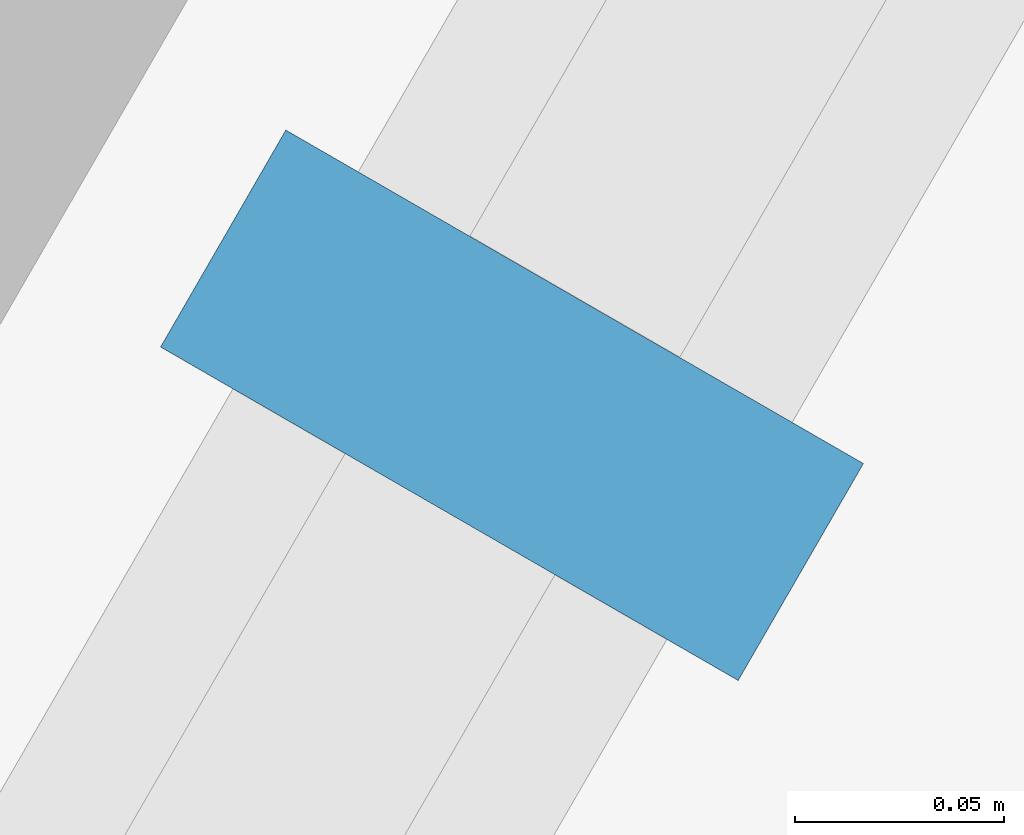
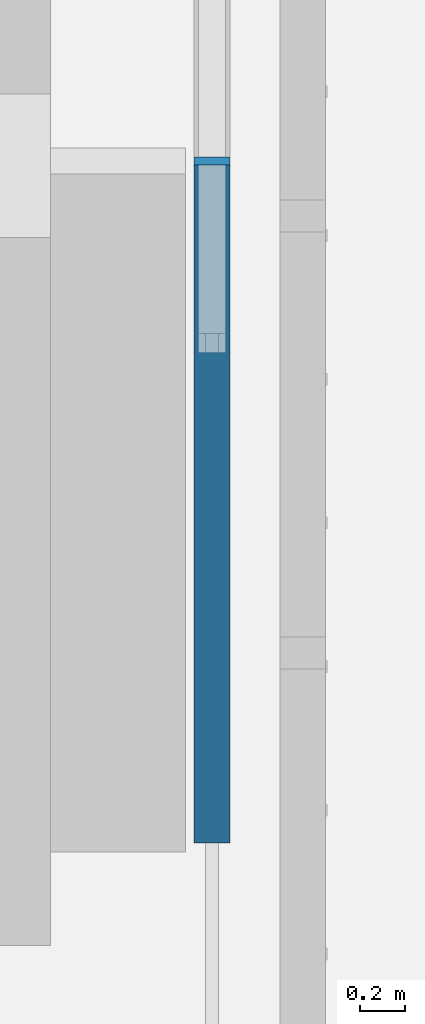
# One storey, part 46 of 127: 1 member, 1 element without a shape of its own.
"""IFC4 building model written with IfcOpenShell, lengths in metres."""

from ifc_helpers import new_model, si_unit, direction, frame, origin, origin_2d, place, context, subcontext, project, spatial, rectangle, extrude, material, material_profile, profile_set, type_object, element, aggregate, save


model = new_model("IFC4")

# Units and contexts
model_context = context("Model", 3, precision=1e-05, world=origin(), true_north=direction((0.0, 1.0)))
body_context = subcontext(model_context, "Body", "Model", "MODEL_VIEW")
ifc_project = project(units=[si_unit("LENGTHUNIT", "METRE"), si_unit("AREAUNIT", "SQUARE_METRE"), si_unit("VOLUMEUNIT", "CUBIC_METRE"), si_unit("PLANEANGLEUNIT", "RADIAN"), si_unit("MASSUNIT", "GRAM", prefix="KILO")], contexts=[model_context])

# Site, building, storey
site_placement = place(None, origin())
site = spatial("IfcSite", under=ifc_project, at=site_placement, CompositionType="ELEMENT")
building_placement = place(site_placement, origin())
building = spatial("IfcBuilding", under=site, at=building_placement, Name="Sandreach Pilgrim Tower", CompositionType="ELEMENT")
storey_placement = place(building_placement, frame((0.0, 0.0, 257.0)))
storey = spatial("IfcBuildingStorey", under=building, at=storey_placement, Name="L64", CompositionType="ELEMENT", Elevation=257.0)

# Curtain wall, member
ifc_material_1 = material(Name="Aluminium framed curtain wall", Category="aluminium")
curtain_wall_type = type_object("IfcCurtainWallType", Name="Suite tower curtain wall", PredefinedType="NOTDEFINED", material=ifc_material_1)
curtain_wall_placement = place(storey_placement, origin())
curtain_wall = element("IfcCurtainWall", 1, at=curtain_wall_placement, inside=storey, type_object=curtain_wall_type, Name="CW-4 L64 SE", PredefinedType="NOTDEFINED")
ifc_material_2 = material(Name="Aluminium extrusion", Category="aluminium")
ifc_material_profile = material_profile(ifc_material_2, rectangle(XDim=0.06005859375, YDim=0.159912109375, at=origin_2d()), Name="CW-4M 60X160")
ifc_profile_set = profile_set([ifc_material_profile], Name="Aluminium extrusion")
member_type = type_object("IfcMemberType", Name="CW-4 mullion", PredefinedType="MULLION", material=ifc_profile_set)
member_placement = place(storey_placement, frame((19.886474609375, -5.208251953125, 0.0), z_axis=(0.0, 0.0, 1.0), x_axis=(-0.5, -0.866025403784, 0.0)))
member = element("IfcMember", 2, at=member_placement, type_object=member_type, Name="CW-4 mullion 4", PredefinedType="MULLION", context=body_context, shape_type="SweptSolid", body=[
    extrude(rectangle(XDim=0.06005859375, YDim=0.159912109375, at=origin_2d()), origin(), (0.0, 0.0, 1.0), 3.639892578125),
])
aggregate(curtain_wall, [member])

save(model, "model.ifc")
